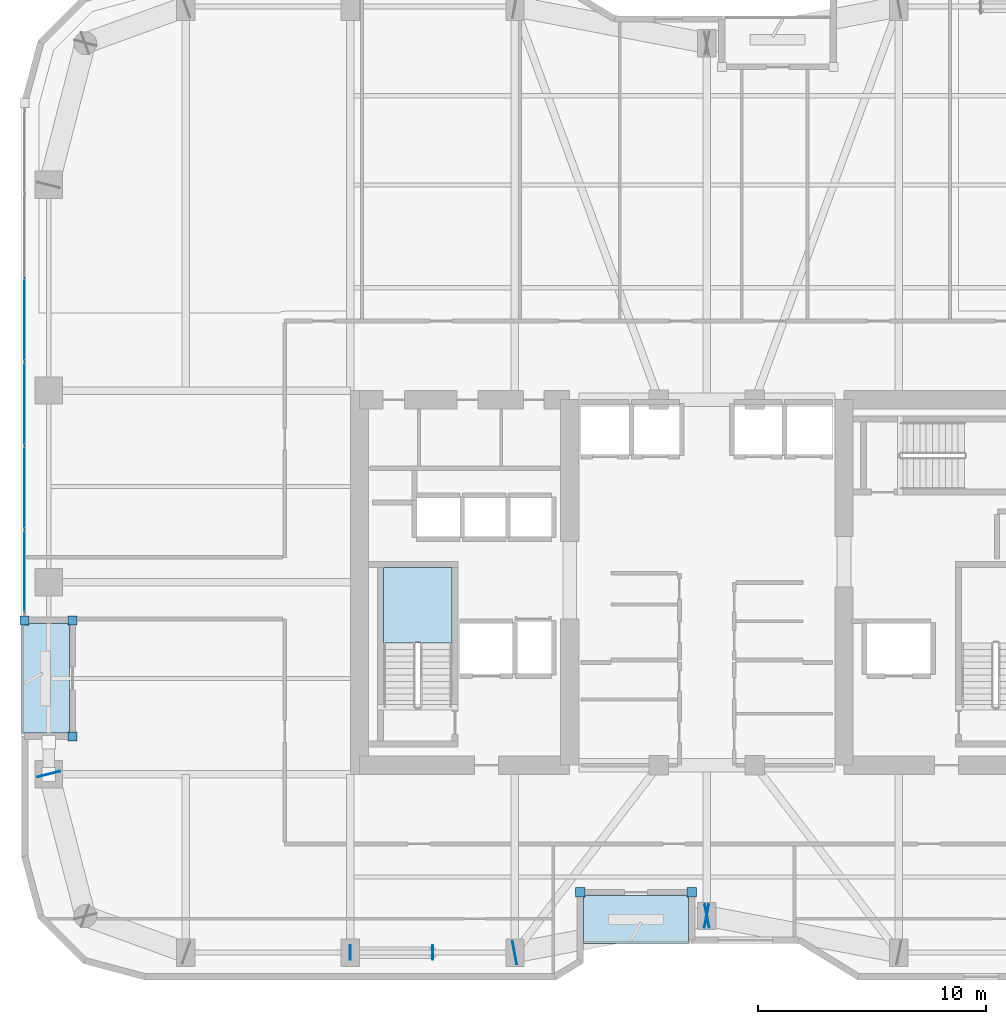
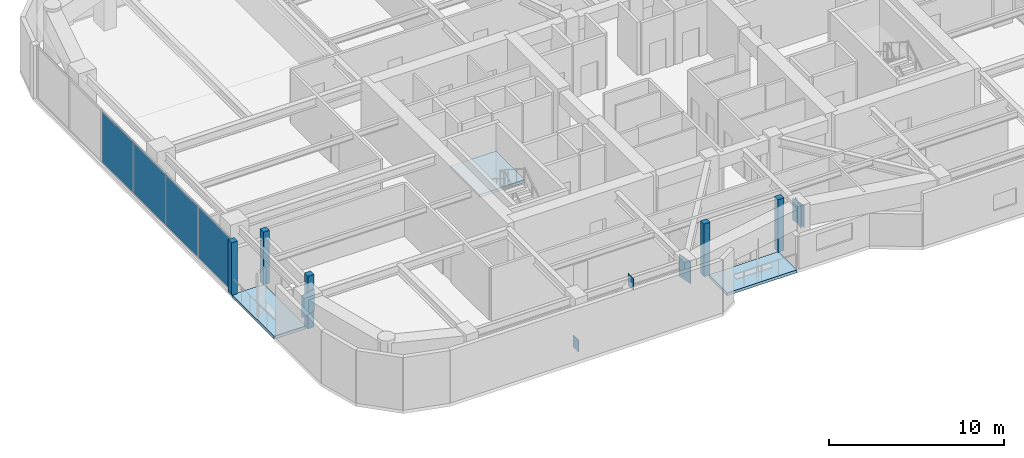
# One storey, part 21 of 30: 15 plates, 3 slabs, 2 elements without a shape of their own.
"""IFC4 building model written with IfcOpenShell, lengths in metres."""

from ifc_helpers import new_model, si_unit, direction, frame, origin, origin_2d, place, context, subcontext, project, spatial, polyline, rectangle, outline, extrude, material, layer, layer_set, type_object, element, aggregate, save


model = new_model("IFC4")

# Units and contexts
model_context = context("Model", 3, precision=1e-05, world=origin(), true_north=direction((0.0, 1.0)))
body_context = subcontext(model_context, "Body", "Model", "MODEL_VIEW")
ifc_project = project(units=[si_unit("LENGTHUNIT", "METRE"), si_unit("AREAUNIT", "SQUARE_METRE"), si_unit("VOLUMEUNIT", "CUBIC_METRE"), si_unit("PLANEANGLEUNIT", "RADIAN"), si_unit("MASSUNIT", "GRAM", prefix="KILO")], contexts=[model_context])

# Site, building, storey
site_placement = place(None, origin())
site = spatial("IfcSite", under=ifc_project, at=site_placement, CompositionType="ELEMENT")
building_placement = place(site_placement, origin())
building = spatial("IfcBuilding", under=site, at=building_placement, Name="Kiyonajd Concourse Tower", CompositionType="ELEMENT")
storey_placement = place(building_placement, frame((0.0, 0.0, 174.0)))
storey = spatial("IfcBuildingStorey", under=building, at=storey_placement, Name="L44", CompositionType="ELEMENT", Elevation=174.0)

# Plates
ifc_material_1 = material(Name="Steel ASTM A572 Grade 50", Category="steel")
ifc_layer_1 = layer(ifc_material_1, 0.028076171875)
ifc_layer_set_1 = layer_set([ifc_layer_1], Name="Steel ASTM A572 Grade 50")
plate_type_1 = type_object("IfcPlateType", Name="PL-CAP-450", PredefinedType="USERDEFINED", material=ifc_layer_set_1)
for number, where, z_axis, x_axis, name in (
    (1, (32.3916015625, 19.800048828125, -0.10888671875), (0.0, 0.0, 1.0), (-1.0, 0.0, 0.0), "L44 Hollow Brace End Cap Plate PBS"),
    (2, (36.00830078125, 19.800048828125, 2.93505859375), (0.0, 0.0, 1.0), (1.0, 0.0, 0.0), "L44 Hollow Brace Top Cap Plate PBS"),
):
    element("IfcPlate", number, at=place(storey_placement, frame(where, z_axis=z_axis, x_axis=x_axis)), inside=storey, type_object=plate_type_1, Name=name, ObjectType="CAP PLATE", PredefinedType="USERDEFINED", context=body_context, shape_type="SweptSolid", body=[
        extrude(rectangle(XDim=0.035888671875, YDim=0.6279296875, at=origin_2d()), origin(), (0.0, 0.0, 1.0), 0.803955078125),
    ])
ifc_layer_2 = layer(ifc_material_1, 0.031982421875)
ifc_layer_set_2 = layer_set([ifc_layer_2], Name="Steel ASTM A572 Grade 50")
plate_type_2 = type_object("IfcPlateType", Name="PL-CAP-540", PredefinedType="USERDEFINED", material=ifc_layer_set_2)
for number, where, z_axis, x_axis, name in (
    (3, (19.197265625, 27.610595703125, 2.2099609375), (0.0, 0.0, 1.0), (-0.249873048837, 0.968278606324, 0.0), "L44 Welded Box Girder End Cap"),
    (4, (39.589111328125, 19.7978515625, 2.2099609375), (0.0, 0.0, 1.0), (-0.982352599301, -0.187038420242, 0.0), "L44 Welded Box Girder End Cap"),
    (5, (48.0107421875, 21.402099609375, 2.2099609375), (0.0, 0.0, 1.0), (0.982352599301, 0.187038420242, 0.0), "L44 Welded Box Girder End Cap"),
    (6, (47.9892578125, 21.402099609375, 2.2099609375), (0.0, 0.0, 1.0), (-0.982352599301, 0.187038420242, 0.0), "L44 Welded Box Girder End Cap"),
):
    element("IfcPlate", number, at=place(storey_placement, frame(where, z_axis=z_axis, x_axis=x_axis)), inside=storey, type_object=plate_type_2, Name=name, ObjectType="CAP PLATE", PredefinedType="USERDEFINED", context=body_context, shape_type="SweptSolid", body=[
        extrude(rectangle(XDim=0.035888671875, YDim=1.02001953125, at=origin_2d()), origin(), (0.0, 0.0, 1.0), 1.5400390625),
    ])

# Curtain wall, plates
ifc_material_2 = material(Name="Thermally Broken Anodised Aluminium", Category="aluminium")
ifc_layer_3 = layer(ifc_material_2, 0.179931640625)
ifc_layer_set_3 = layer_set([ifc_layer_3], Name="Thermally Broken Anodised Aluminium")
curtain_wall_type = type_object("IfcCurtainWallType", Name="CW-SYS-03", PredefinedType="NOTDEFINED", material=ifc_layer_set_3)
curtain_wall_placement = place(storey_placement, origin())
curtain_wall = element("IfcCurtainWall", 7, at=curtain_wall_placement, inside=storey, type_object=curtain_wall_type, Name="L44 Unitised Curtain Wall CW3", PredefinedType="NOTDEFINED")
ifc_material_3 = material(Name="Double Low-E Insulated Glass", Category="glass")
ifc_layer_4 = layer(ifc_material_3, 0.033935546875)
ifc_layer_set_4 = layer_set([ifc_layer_4], Name="Double Low-E Insulated Glass")
plate_type_3 = type_object("IfcPlateType", Name="PL-CW-VIS34", PredefinedType="CURTAIN_PANEL", material=ifc_layer_set_4)
plate_1_placement = place(storey_placement, frame((18.139892578125, 36.484619140625, 0.06494140625), z_axis=(0.0, 0.0, 1.0), x_axis=(0.0, 1.0, 0.0)))
plate_1 = element("IfcPlate", 8, at=plate_1_placement, type_object=plate_type_3, Name="CW3 panel 1.1", PredefinedType="CURTAIN_PANEL", context=body_context, shape_type="SweptSolid", body=[
    extrude(rectangle(XDim=3.579345703125, YDim=0.033935546875, at=origin_2d()), origin(), (0.0, 0.0, 1.0), 3.550048828125),
])
plate_2_placement = place(storey_placement, frame((18.139892578125, 40.1455078125, 0.06494140625), z_axis=(0.0, 0.0, 1.0), x_axis=(0.0, 1.0, 0.0)))
plate_2 = element("IfcPlate", 9, at=plate_2_placement, type_object=plate_type_3, Name="CW3 panel 2.1", PredefinedType="CURTAIN_PANEL", context=body_context, shape_type="SweptSolid", body=[
    extrude(rectangle(XDim=3.61181640625, YDim=0.033935546875, at=origin_2d()), origin(), (0.0, 0.0, 1.0), 3.550048828125),
])
plate_3_placement = place(storey_placement, frame((18.139892578125, 43.822265625, 0.06494140625), z_axis=(0.0, 0.0, 1.0), x_axis=(0.0, 1.0, 0.0)))
plate_3 = element("IfcPlate", 10, at=plate_3_placement, type_object=plate_type_3, Name="CW3 panel 3.1", PredefinedType="CURTAIN_PANEL", context=body_context, shape_type="SweptSolid", body=[
    extrude(rectangle(XDim=3.61181640625, YDim=0.033935546875, at=origin_2d()), origin(), (0.0, 0.0, 1.0), 3.550048828125),
])
plate_4_placement = place(storey_placement, frame((18.139892578125, 47.499267578125, 0.06494140625), z_axis=(0.0, 0.0, 1.0), x_axis=(0.0, 1.0, 0.0)))
plate_4 = element("IfcPlate", 11, at=plate_4_placement, type_object=plate_type_3, Name="CW3 panel 4.1", PredefinedType="CURTAIN_PANEL", context=body_context, shape_type="SweptSolid", body=[
    extrude(rectangle(XDim=3.61181640625, YDim=0.033935546875, at=origin_2d()), origin(), (0.0, 0.0, 1.0), 3.550048828125),
])
aggregate(curtain_wall, [plate_1, plate_2, plate_3, plate_4])

# Plates
ifc_layer_5 = layer(ifc_material_2, 0.39990234375)
ifc_layer_set_5 = layer_set([ifc_layer_5], Name="Thermally Broken Anodised Aluminium")
plate_type_4 = type_object("IfcPlateType", Name="PL-JMB-400", PredefinedType="USERDEFINED", material=ifc_layer_set_5)
for number, where, z_axis, x_axis, name in (
    (12, (20.239990234375, 29.260009765625, 0.0), (0.0, 0.0, 1.0), (1.0, 0.0, 0.0), "L44 Facade Jamb Closure Plate 01"),
    (13, (20.239990234375, 34.340087890625, 0.0), (0.0, 0.0, 1.0), (1.0, 0.0, 0.0), "L44 Facade Jamb Closure Plate 02"),
    (14, (18.139892578125, 34.340087890625, 0.0), (0.0, 0.0, 1.0), (1.0, 0.0, 0.0), "L44 Facade Jamb Closure Plate 03"),
    (15, (47.340087890625, 22.43994140625, 0.0), (0.0, 0.0, 1.0), (1.0, 0.0, 0.0), "L44 Facade Jamb Closure Plate 13"),
    (16, (42.4599609375, 22.43994140625, 0.0), (0.0, 0.0, 1.0), (1.0, 0.0, 0.0), "L44 Facade Jamb Closure Plate 14"),
):
    element("IfcPlate", number, at=place(storey_placement, frame(where, z_axis=z_axis, x_axis=x_axis)), inside=storey, type_object=plate_type_4, Name=name, ObjectType="JAMB PLATE", PredefinedType="USERDEFINED", context=body_context, shape_type="SweptSolid", body=[
        extrude(rectangle(XDim=0.39990234375, YDim=0.39990234375, at=origin_2d()), origin(), (0.0, 0.0, 1.0), 3.679931640625),
    ])

# Stair, slab
ifc_material_4 = material(Name="Concrete C40/50", Category="concrete")
stair_type = type_object("IfcStairType", Name="ST-DLG-22R", PredefinedType="HALF_TURN_STAIR", material=ifc_material_4)
stair_placement = place(storey_placement, origin())
stair = element("IfcStair", 17, at=stair_placement, inside=storey, type_object=stair_type, Name="L44 Protected Exit Stair ST1", PredefinedType="HALF_TURN_STAIR")
ifc_layer_6 = layer(ifc_material_4, 0.199951171875)
ifc_layer_set_6 = layer_set([ifc_layer_6], Name="Concrete C40/50")
slab_type_1 = type_object("IfcSlabType", Name="SL-LND-200", PredefinedType="LANDING", material=ifc_layer_set_6)
slab_1_placement = place(storey_placement, frame((0.0, 0.0, 1.75)))
slab_1 = element("IfcSlab", 18, at=slab_1_placement, type_object=slab_type_1, Name="ST1 landing 1", PredefinedType="LANDING", context=body_context, shape_type="SweptSolid", body=[
    extrude(outline(polyline([(36.85009765625, 33.35009765625), (36.85009765625, 36.64990234375), (33.85009765625, 36.64990234375), (33.85009765625, 33.35009765625), (36.85009765625, 33.35009765625)])), origin(), (0.0, 0.0, 1.0), 0.199951171875),
])
aggregate(stair, [slab_1])

# Slabs
ifc_material_5 = material(Name="Precast concrete C50/60", Category="concrete")
ifc_layer_7 = layer(ifc_material_5, 0.199951171875)
ifc_layer_set_7 = layer_set([ifc_layer_7], Name="Precast concrete C50/60")
slab_type_2 = type_object("IfcSlabType", Name="SL-LOG-200", PredefinedType="FLOOR", material=ifc_layer_set_7)
slab_2_placement = place(storey_placement, frame((0.0, 0.0, -0.199951171875)))
element("IfcSlab", 19, at=slab_2_placement, inside=storey, type_object=slab_type_2, Name="L44 Recessed Engawa Loggia Terrace Slab LOG-S", PredefinedType="FLOOR", context=body_context, shape_type="SweptSolid", body=[
    extrude(outline(polyline([(42.60009765625, 20.199951171875), (47.199951171875, 20.199951171875), (47.199951171875, 22.300048828125), (42.60009765625, 22.300048828125), (42.60009765625, 20.199951171875)])), origin(), (0.0, 0.0, 1.0), 0.199951171875),
])
slab_3_placement = place(storey_placement, frame((0.0, 0.0, -0.199951171875)))
element("IfcSlab", 20, at=slab_3_placement, inside=storey, type_object=slab_type_2, Name="L44 Recessed Engawa Loggia Terrace Slab LOG-W", PredefinedType="FLOOR", context=body_context, shape_type="SweptSolid", body=[
    extrude(outline(polyline([(18.0, 29.39990234375), (20.10009765625, 29.39990234375), (20.10009765625, 34.199951171875), (18.0, 34.199951171875), (18.0, 29.39990234375)])), origin(), (0.0, 0.0, 1.0), 0.199951171875),
])

save(model, "model.ifc")
